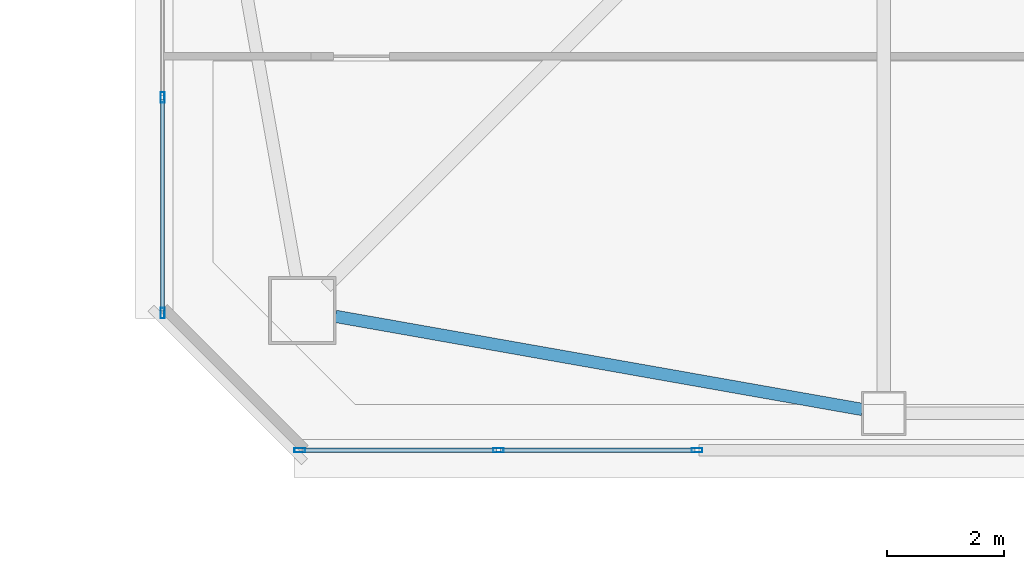
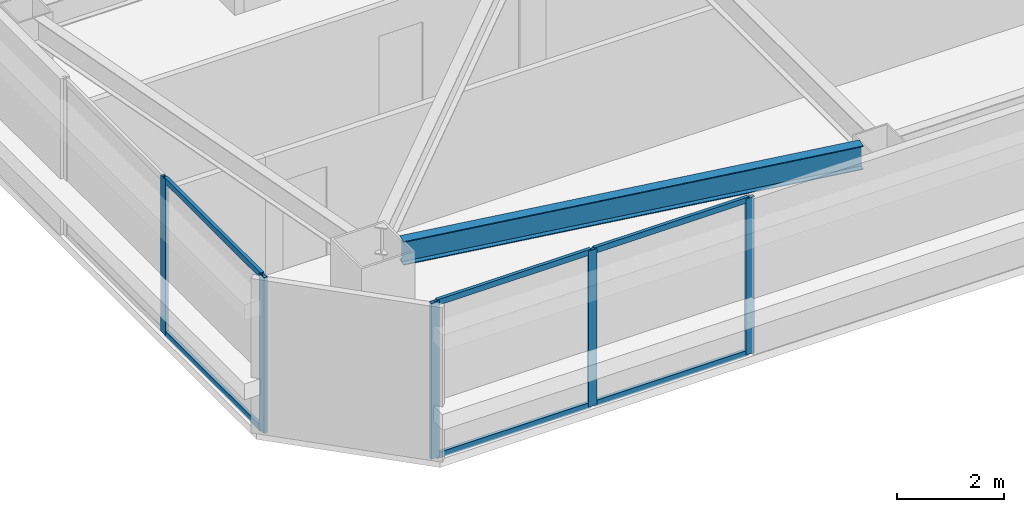
# One storey, part 3 of 43: 11 members, 1 beam, 2 elements without a shape of their own.
"""IFC4 building model written with IfcOpenShell, lengths in metres."""

from ifc_helpers import new_model, si_unit, direction, frame, origin, origin_2d, place, context, subcontext, project, spatial, hollow_rectangle, i_section, extrude, material, material_profile, profile_set, type_object, element, aggregate, save


model = new_model("IFC4")

# Units and contexts
model_context = context("Model", 3, precision=1e-05, world=origin(), true_north=direction((0.0, 1.0)))
body_context = subcontext(model_context, "Body", "Model", "MODEL_VIEW")
ifc_project = project(units=[si_unit("LENGTHUNIT", "METRE"), si_unit("AREAUNIT", "SQUARE_METRE"), si_unit("VOLUMEUNIT", "CUBIC_METRE"), si_unit("PLANEANGLEUNIT", "RADIAN"), si_unit("MASSUNIT", "GRAM", prefix="KILO")], contexts=[model_context])

# Site, building, storey
site_placement = place(None, origin())
site = spatial("IfcSite", under=ifc_project, at=site_placement, CompositionType="ELEMENT")
building_placement = place(site_placement, origin())
building = spatial("IfcBuilding", under=site, at=building_placement, Name="Tashvorn Skyway Center", CompositionType="ELEMENT")
storey_placement = place(building_placement, frame((0.0, 0.0, 185.39990234375)))
storey = spatial("IfcBuildingStorey", under=building, at=storey_placement, Name="L50", CompositionType="ELEMENT", Elevation=185.39990234375)

# Beam
ifc_material_1 = material(Name="Steel ASTM A992 Grade 50", Category="steel")
ifc_material_profile_1 = material_profile(ifc_material_1, i_section(OverallWidth=0.2109375, OverallDepth=0.5390625, WebThickness=0.01171875, FlangeThickness=0.018798828125, at=origin_2d()), Name="W21X73")
ifc_profile_set_1 = profile_set([ifc_material_profile_1], Name="Steel ASTM A992 Grade 50")
beam_type = type_object("IfcBeamType", Name="BM-SPANDREL-W21X73", PredefinedType="SPANDREL", material=ifc_profile_set_1)
beam_placement = place(storey_placement, frame((27.26123046875, 16.600830078125, 3.1005859375), z_axis=(0.984732545667, -0.174074160933, 0.0), x_axis=(0.174074160933, 0.984732545667, 0.0)))
element("IfcBeam", 1, at=beam_placement, inside=storey, type_object=beam_type, Name="Tower 1 L50 Spandrel Beam 01", PredefinedType="SPANDREL", context=body_context, shape_type="SweptSolid", body=[
    extrude(i_section(OverallWidth=0.2109375, OverallDepth=0.5390625, WebThickness=0.01171875, FlangeThickness=0.018798828125, at=origin_2d()), origin(), (0.0, 0.0, 1.0), 9.113525390625),
])

# Curtain wall, members
ifc_material_2 = material(Name="Thermally broken bronze-anodized aluminium 6063-T6", Category="aluminium")
curtain_wall_type = type_object("IfcCurtainWallType", Name="CW-CW-Z4", PredefinedType="NOTDEFINED", material=ifc_material_2)
curtain_wall_1_placement = place(storey_placement, origin())
curtain_wall_1 = element("IfcCurtainWall", 2, at=curtain_wall_1_placement, inside=storey, type_object=curtain_wall_type, Name="Tower 1 L50 South Unitised Curtain Wall Glazing Group 3", PredefinedType="NOTDEFINED")
ifc_material_profile_2 = material_profile(ifc_material_2, hollow_rectangle(XDim=0.070068359375, YDim=0.179931640625, WallThickness=0.00390625, at=origin_2d()), Name="ALU-MULL-70x180")
ifc_profile_set_2 = profile_set([ifc_material_profile_2], Name="Thermally broken bronze-anodized aluminium 6063-T6")
member_type_1 = type_object("IfcMemberType", Name="CWM-CW-Z4", PredefinedType="MULLION", material=ifc_profile_set_2)
member_1_placement = place(storey_placement, frame((33.420654296875, 14.320068359375, 0.0), z_axis=(0.0, 0.0, 1.0), x_axis=(0.0, -1.0, 0.0)))
member_1 = element("IfcMember", 3, at=member_1_placement, type_object=member_type_1, Name="CW-Z4 mullion 1", PredefinedType="MULLION", context=body_context, shape_type="SweptSolid", body=[
    extrude(hollow_rectangle(XDim=0.070068359375, YDim=0.179931640625, WallThickness=0.00390625, at=origin_2d()), origin(), (0.0, 0.0, 1.0), 3.550048828125),
])
member_2_placement = place(storey_placement, frame((30.037841796875, 14.320068359375, 0.0), z_axis=(0.0, 0.0, 1.0), x_axis=(0.0, -1.0, 0.0)))
member_2 = element("IfcMember", 4, at=member_2_placement, type_object=member_type_1, Name="CW-Z4 mullion 2", PredefinedType="MULLION", context=body_context, shape_type="SweptSolid", body=[
    extrude(hollow_rectangle(XDim=0.070068359375, YDim=0.179931640625, WallThickness=0.00390625, at=origin_2d()), origin(), (0.0, 0.0, 1.0), 3.550048828125),
])
member_3_placement = place(storey_placement, frame((26.655029296875, 14.320068359375, 0.0), z_axis=(0.0, 0.0, 1.0), x_axis=(0.0, -1.0, 0.0)))
member_3 = element("IfcMember", 5, at=member_3_placement, type_object=member_type_1, Name="CW-Z4 mullion 3", PredefinedType="MULLION", context=body_context, shape_type="SweptSolid", body=[
    extrude(hollow_rectangle(XDim=0.070068359375, YDim=0.179931640625, WallThickness=0.00390625, at=origin_2d()), origin(), (0.0, 0.0, 1.0), 3.550048828125),
])

curtain_wall_2_placement = place(storey_placement, origin())
curtain_wall_2 = element("IfcCurtainWall", 6, at=curtain_wall_2_placement, inside=storey, type_object=curtain_wall_type, Name="Tower 1 L50 West Curtain Wall L Glazing Group 1", PredefinedType="NOTDEFINED")
member_4_placement = place(storey_placement, frame((24.320068359375, 16.655029296875, 0.0), z_axis=(0.0, 0.0, 1.0), x_axis=(-1.0, 0.0, 0.0)))
member_4 = element("IfcMember", 7, at=member_4_placement, type_object=member_type_1, Name="CW-Z4 mullion 1", PredefinedType="MULLION", context=body_context, shape_type="SweptSolid", body=[
    extrude(hollow_rectangle(XDim=0.070068359375, YDim=0.179931640625, WallThickness=0.00390625, at=origin_2d()), origin(), (0.0, 0.0, 1.0), 3.550048828125),
])
member_5_placement = place(storey_placement, frame((24.320068359375, 20.330078125, 0.0), z_axis=(0.0, 0.0, 1.0), x_axis=(-1.0, 0.0, 0.0)))
member_5 = element("IfcMember", 8, at=member_5_placement, type_object=member_type_1, Name="CW-Z4 mullion 2", PredefinedType="MULLION", context=body_context, shape_type="SweptSolid", body=[
    extrude(hollow_rectangle(XDim=0.070068359375, YDim=0.179931640625, WallThickness=0.00390625, at=origin_2d()), origin(), (0.0, 0.0, 1.0), 3.550048828125),
])

# Member
ifc_material_profile_3 = material_profile(ifc_material_2, hollow_rectangle(XDim=0.070068359375, YDim=0.1298828125, WallThickness=0.00390625, at=origin_2d()), Name="ALU-TRAN-70x130")
ifc_profile_set_3 = profile_set([ifc_material_profile_3], Name="Thermally broken bronze-anodized aluminium 6063-T6")
member_type_2 = type_object("IfcMemberType", Name="CWT-CW-Z4", PredefinedType="USERDEFINED", material=ifc_profile_set_3)
member_6_placement = place(storey_placement, frame((33.385498046875, 14.320068359375, 0.03515625), z_axis=(-1.0, 0.0, 0.0), x_axis=(0.0, -1.0, 0.0)))
member_6 = element("IfcMember", 9, at=member_6_placement, type_object=member_type_2, Name="CW-Z4 transom 1.1", ObjectType="TRANSOM", PredefinedType="USERDEFINED", context=body_context, shape_type="SweptSolid", body=[
    extrude(hollow_rectangle(XDim=0.070068359375, YDim=0.1298828125, WallThickness=0.00390625, at=origin_2d()), origin(), (0.0, 0.0, 1.0), 3.312744140625),
])

member_7_placement = place(storey_placement, frame((33.385498046875, 14.320068359375, 3.51513671875), z_axis=(-1.0, 0.0, 0.0), x_axis=(0.0, -1.0, 0.0)))
member_7 = element("IfcMember", 10, at=member_7_placement, type_object=member_type_2, Name="CW-Z4 transom 1.2", ObjectType="TRANSOM", PredefinedType="USERDEFINED", context=body_context, shape_type="SweptSolid", body=[
    extrude(hollow_rectangle(XDim=0.070068359375, YDim=0.1298828125, WallThickness=0.00390625, at=origin_2d()), origin(), (0.0, 0.0, 1.0), 3.312744140625),
])

member_8_placement = place(storey_placement, frame((30.002685546875, 14.320068359375, 0.03515625), z_axis=(-1.0, 0.0, 0.0), x_axis=(0.0, -1.0, 0.0)))
member_8 = element("IfcMember", 11, at=member_8_placement, type_object=member_type_2, Name="CW-Z4 transom 2.1", ObjectType="TRANSOM", PredefinedType="USERDEFINED", context=body_context, shape_type="SweptSolid", body=[
    extrude(hollow_rectangle(XDim=0.070068359375, YDim=0.1298828125, WallThickness=0.00390625, at=origin_2d()), origin(), (0.0, 0.0, 1.0), 3.312744140625),
])

member_9_placement = place(storey_placement, frame((30.002685546875, 14.320068359375, 3.51513671875), z_axis=(-1.0, 0.0, 0.0), x_axis=(0.0, -1.0, 0.0)))
member_9 = element("IfcMember", 12, at=member_9_placement, type_object=member_type_2, Name="CW-Z4 transom 2.2", ObjectType="TRANSOM", PredefinedType="USERDEFINED", context=body_context, shape_type="SweptSolid", body=[
    extrude(hollow_rectangle(XDim=0.070068359375, YDim=0.1298828125, WallThickness=0.00390625, at=origin_2d()), origin(), (0.0, 0.0, 1.0), 3.312744140625),
])

aggregate(curtain_wall_1, [member_1, member_2, member_3, member_6, member_7, member_8, member_9])

member_10_placement = place(storey_placement, frame((24.320068359375, 16.68994140625, 0.03515625), z_axis=(0.0, 1.0, 0.0), x_axis=(-1.0, 0.0, 0.0)))
member_10 = element("IfcMember", 13, at=member_10_placement, type_object=member_type_2, Name="CW-Z4 transom 1.1", ObjectType="TRANSOM", PredefinedType="USERDEFINED", context=body_context, shape_type="SweptSolid", body=[
    extrude(hollow_rectangle(XDim=0.070068359375, YDim=0.1298828125, WallThickness=0.00390625, at=origin_2d()), origin(), (0.0, 0.0, 1.0), 3.60498046875),
])

member_11_placement = place(storey_placement, frame((24.320068359375, 16.68994140625, 3.51513671875), z_axis=(0.0, 1.0, 0.0), x_axis=(-1.0, 0.0, 0.0)))
member_11 = element("IfcMember", 14, at=member_11_placement, type_object=member_type_2, Name="CW-Z4 transom 1.2", ObjectType="TRANSOM", PredefinedType="USERDEFINED", context=body_context, shape_type="SweptSolid", body=[
    extrude(hollow_rectangle(XDim=0.070068359375, YDim=0.1298828125, WallThickness=0.00390625, at=origin_2d()), origin(), (0.0, 0.0, 1.0), 3.60498046875),
])

aggregate(curtain_wall_2, [member_4, member_5, member_10, member_11])

save(model, "model.ifc")
